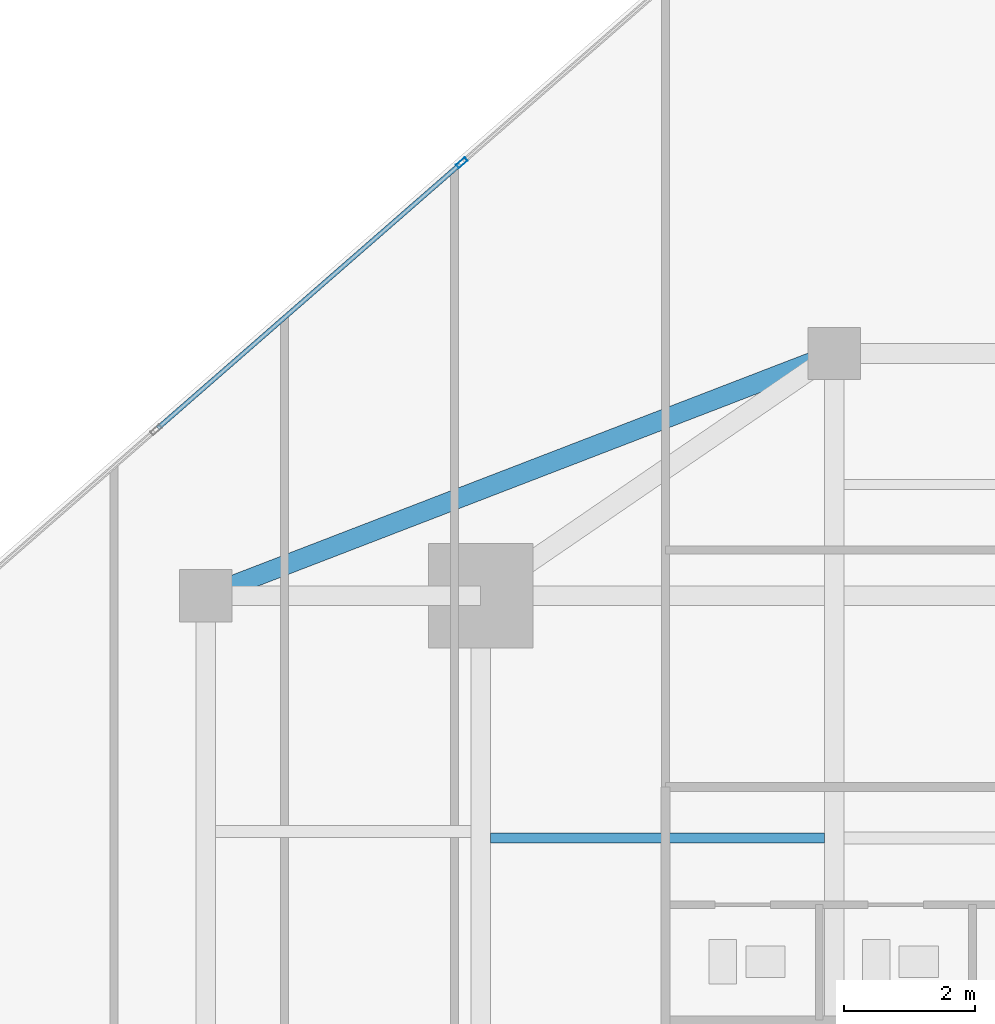
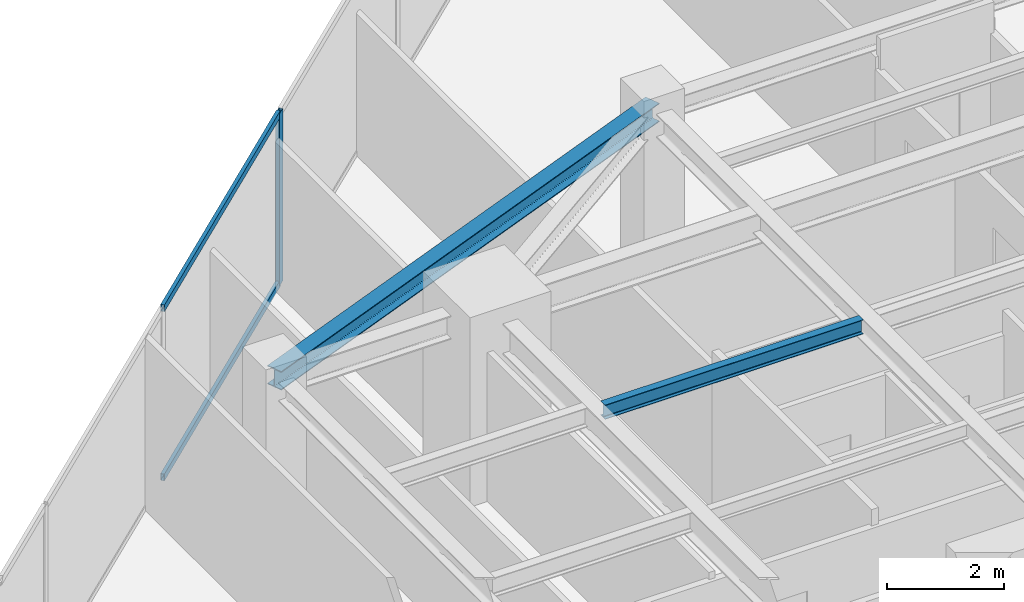
# One storey, part 14 of 24: 3 members, 2 beams, 1 element without a shape of its own.
"""IFC4 building model written with IfcOpenShell, lengths in metres."""

import ifcopenshell
import ifcopenshell.guid

model = None  # the IFC model being written
_history = None  # IfcOwnerHistory: only IFC2X3 demands one
_inside = {}  # id of a spatial element -> (the spatial element, [elements in it])
_under = {}  # id of a project, library or spatial element -> (it, [spatial elements below it])
_declared = {}  # id of a project -> (the project, [libraries it declares])
_typed = {}  # id of a type object -> (the type object, [elements of that type])
_made_of = {}  # id of a material, layer set ... -> (it, [elements and type objects made of it])


def new_model(schema):
    """Start an empty IFC model of exactly this schema.

    Asked for "IFC4X3", IfcOpenShell would pick the latest addendum, in which some entities
    have other attributes; the version numbers below select the first issue.
    IFC2X3 requires an IfcOwnerHistory on every rooted entity: one is made here for all.
    """
    global model, _history
    if schema == "IFC4X3":
        model = ifcopenshell.file(schema_version=(4, 3, 0, 0))
    else:
        model = ifcopenshell.file(schema=schema)
    _inside.clear()
    _under.clear()
    _declared.clear()
    _typed.clear()
    _made_of.clear()
    _history = None
    if model.schema == "IFC2X3":
        org = make("IfcOrganization", Name="unknown")
        user = make(
            "IfcPersonAndOrganization",
            ThePerson=make("IfcPerson", FamilyName="unknown"),
            TheOrganization=org,
        )
        app = make(
            "IfcApplication",
            ApplicationDeveloper=org,
            Version="unknown",
            ApplicationFullName="unknown",
            ApplicationIdentifier="unknown",
        )
        _history = make(
            "IfcOwnerHistory",
            OwningUser=user,
            OwningApplication=app,
            ChangeAction="ADDED",
            CreationDate=0,
        )
    return model


def make(cls, **values):
    """One entity of the class cls with the attributes given. An attribute that is None is left unset."""
    return model.create_entity(
        cls, **{name: value for name, value in values.items() if value is not None}
    )


def rooted(cls, **values):
    """An entity with a GlobalId (a new one), such as an element, a storey or a relation."""
    return make(cls, GlobalId=ifcopenshell.guid.new(), OwnerHistory=_history, **values)


def si_unit(unit_type, name, prefix=None):
    """IfcSIUnit, for example si_unit("LENGTHUNIT", "METRE", prefix="MILLI")."""
    return make("IfcSIUnit", UnitType=unit_type, Prefix=prefix, Name=name)


def assignment(units):
    """IfcUnitAssignment: the units of a project."""
    return None if units is None else make("IfcUnitAssignment", Units=units)


def point(xyz):
    """IfcCartesianPoint."""
    return None if xyz is None else make("IfcCartesianPoint", Coordinates=xyz)


def direction(xyz):
    """IfcDirection."""
    return None if xyz is None else make("IfcDirection", DirectionRatios=xyz)


def frame(location, z_axis=None, x_axis=None):
    """IfcAxis2Placement3D, a coordinate frame: its origin and axes. An axis left out is left unset."""
    return make(
        "IfcAxis2Placement3D",
        Location=point(location),
        Axis=direction(z_axis),
        RefDirection=direction(x_axis),
    )


def frame_2d(location, x_axis=None):
    """IfcAxis2Placement2D, a coordinate frame in the plane: its origin and x axis."""
    return make(
        "IfcAxis2Placement2D", Location=point(location), RefDirection=direction(x_axis)
    )


def origin():
    """The frame at (0, 0, 0) with its axes left unset."""
    return frame((0.0, 0.0, 0.0))


def origin_2d():
    """The frame at (0, 0) in the plane with its x axis left unset."""
    return frame_2d((0.0, 0.0))


def place(relative_to, where):
    """IfcLocalPlacement: puts the frame where relative to a parent placement (None: the world)."""
    return make(
        "IfcLocalPlacement", PlacementRelTo=relative_to, RelativePlacement=where
    )


def context(
    kind, dimensions, precision=None, world=None, true_north=None, identifier=None
):
    """IfcGeometricRepresentationContext, for example the 3D "Model" context."""
    return make(
        "IfcGeometricRepresentationContext",
        ContextIdentifier=identifier,
        ContextType=kind,
        CoordinateSpaceDimension=dimensions,
        Precision=precision,
        WorldCoordinateSystem=world,
        TrueNorth=true_north,
    )


def subcontext(parent, identifier, kind, view, scale=None):
    """IfcGeometricRepresentationSubContext, for example "Body" below "Model"."""
    return make(
        "IfcGeometricRepresentationSubContext",
        ContextIdentifier=identifier,
        ContextType=kind,
        ParentContext=parent,
        TargetScale=scale,
        TargetView=view,
    )


def project(units=None, contexts=None):
    """IfcProject with its units and contexts."""
    return rooted(
        "IfcProject",
        Name="project",
        RepresentationContexts=contexts,
        UnitsInContext=assignment(units),
    )


def spatial(cls, under=None, at=None, **own):
    """A site, building, storey or space (cls), placed at a placement, below another one or the project."""
    s = rooted(cls, ObjectPlacement=at, **own)
    if under is not None:
        _under.setdefault(under.id(), (under, []))[1].append(s)
    return s


def profile(cls, at=None, kind="AREA", **sizes):
    """A parametric profile (cls). Its sizes go by their IFC names, for example OverallWidth=200.0."""
    return make(cls, ProfileType=kind, Position=at, **sizes)


def hollow_rectangle(**sizes):
    """IfcRectangleHollowProfileDef."""
    return profile("IfcRectangleHollowProfileDef", **sizes)


def i_section(**sizes):
    """IfcIShapeProfileDef."""
    return profile("IfcIShapeProfileDef", **sizes)


def extrude(swept, where, along, depth):
    """IfcExtrudedAreaSolid: the profile swept, set in the frame where, extruded along a direction by depth."""
    return make(
        "IfcExtrudedAreaSolid",
        SweptArea=swept,
        Position=where,
        ExtrudedDirection=direction(along),
        Depth=depth,
    )


def shape(context_of_items, identifier, shape_type, items):
    """IfcShapeRepresentation: the items that make up one representation, for example the "Body"."""
    return make(
        "IfcShapeRepresentation",
        ContextOfItems=context_of_items,
        RepresentationIdentifier=identifier,
        RepresentationType=shape_type,
        Items=items,
    )


def source(mapping_origin, context_of_items, identifier, shape_type, items):
    """IfcRepresentationMap: a shape defined once, which mapped items show again and again."""
    return make(
        "IfcRepresentationMap",
        MappingOrigin=mapping_origin,
        MappedRepresentation=shape(context_of_items, identifier, shape_type, items),
    )


def transform(
    local_origin,
    x_axis=None,
    y_axis=None,
    z_axis=None,
    scale=None,
    scale2=None,
    scale3=None,
    uniform=True,
):
    """IfcCartesianTransformationOperator3D, or its non-uniform kind. x_axis, y_axis, z_axis: its Axis1, 2, 3."""
    if uniform:
        return make(
            "IfcCartesianTransformationOperator3D",
            Axis1=direction(x_axis),
            Axis2=direction(y_axis),
            LocalOrigin=point(local_origin),
            Scale=scale,
            Axis3=direction(z_axis),
        )
    return make(
        "IfcCartesianTransformationOperator3DnonUniform",
        Axis1=direction(x_axis),
        Axis2=direction(y_axis),
        LocalOrigin=point(local_origin),
        Scale=scale,
        Axis3=direction(z_axis),
        Scale2=scale2,
        Scale3=scale3,
    )


def mapped(mapping_source, mapping_target):
    """IfcMappedItem: shows the shape of a source again, moved by a transform."""
    return make(
        "IfcMappedItem", MappingSource=mapping_source, MappingTarget=mapping_target
    )


def material(Name=None, Category=None):
    """IfcMaterial."""
    return make("IfcMaterial", Name=Name, Category=Category)


def material_profile(
    of_material, cross_section, Name=None, Category=None, Priority=None
):
    """IfcMaterialProfile: a cross section and its material."""
    return make(
        "IfcMaterialProfile",
        Name=Name,
        Material=of_material,
        Profile=cross_section,
        Priority=Priority,
        Category=Category,
    )


def profile_set(profiles, Name=None, composite=None):
    """IfcMaterialProfileSet."""
    return make(
        "IfcMaterialProfileSet",
        Name=Name,
        MaterialProfiles=profiles,
        CompositeProfile=composite,
    )


def made_of(thing, what):
    """Note that an element or type object is made of a material, layer set ...; save() writes the relation."""
    if what is not None:
        _made_of.setdefault(what.id(), (what, []))[1].append(thing)
    return thing


def type_object(cls, material=None, **own):
    """A type object (cls), such as IfcWallType, which elements share."""
    return made_of(rooted(cls, **own), material)


def type_shapes(of_type, sources):
    """Give a type object the sources (RepresentationMaps) that its elements show as mapped items."""
    of_type.RepresentationMaps = sources


def element(
    cls,
    number,
    at=None,
    inside=None,
    cuts=None,
    type_object=None,
    material=None,
    context=None,
    identifier="Body",
    shape_type=None,
    held_by="IfcProductDefinitionShape",
    body=None,
    shapes=None,
    **own,
):
    """One element of the class cls, such as IfcWall. Its Tag is "e" and its number.

    at: its placement. inside: the storey or other place that contains it. cuts: it is an
    opening in that element (IfcRelVoidsElement). A single representation is given by context,
    identifier, shape_type and body (its items); several are given by shapes. held_by: the class
    of the entity that holds the representations. save() writes the other relations.
    """
    e = rooted(cls, Tag="e%d" % number, ObjectPlacement=at, **own)
    if body is not None:
        shapes = [shape(context, identifier, shape_type, body)]
    if shapes is not None:
        e.Representation = make(held_by, Representations=shapes)
    if inside is not None:
        _inside.setdefault(inside.id(), (inside, []))[1].append(e)
    if cuts is not None:
        rooted(
            "IfcRelVoidsElement", RelatingBuildingElement=cuts, RelatedOpeningElement=e
        )
    if type_object is not None:
        _typed.setdefault(type_object.id(), (type_object, []))[1].append(e)
    return made_of(e, material)


def aggregate(whole, parts):
    """IfcRelAggregates: a whole, such as a stair, and the parts it consists of."""
    return rooted("IfcRelAggregates", RelatingObject=whole, RelatedObjects=parts)


def save(model, path):
    """Write the relations noted so far, then the file.

    IfcRelAggregates (storeys below a building ...), IfcRelContainedInSpatialStructure (elements
    in a storey), IfcRelDefinesByType, IfcRelAssociatesMaterial and IfcRelDeclares: one each for
    every whole, place, type object, material and project.
    """
    for whole, parts in _under.values():
        aggregate(whole, parts)
    for where, things in _inside.values():
        rooted(
            "IfcRelContainedInSpatialStructure",
            RelatedElements=things,
            RelatingStructure=where,
        )
    for kind, things in _typed.values():
        rooted("IfcRelDefinesByType", RelatedObjects=things, RelatingType=kind)
    for what, things in _made_of.values():
        rooted("IfcRelAssociatesMaterial", RelatedObjects=things, RelatingMaterial=what)
    for by, libraries in _declared.values():
        rooted("IfcRelDeclares", RelatingContext=by, RelatedDefinitions=libraries)
    model.write(path)


model = new_model("IFC4")

# Units and contexts
model_context = context("Model", 3, precision=1e-05, world=origin(), true_north=direction((0.0, 1.0)))
body_context = subcontext(model_context, "Body", "Model", "MODEL_VIEW")
ifc_project = project(units=[si_unit("LENGTHUNIT", "METRE"), si_unit("AREAUNIT", "SQUARE_METRE"), si_unit("VOLUMEUNIT", "CUBIC_METRE"), si_unit("PLANEANGLEUNIT", "RADIAN"), si_unit("MASSUNIT", "GRAM", prefix="KILO")], contexts=[model_context])

# Site, building, storey
site_placement = place(None, origin())
site = spatial("IfcSite", under=ifc_project, at=site_placement, CompositionType="ELEMENT")
building_placement = place(site_placement, origin())
building = spatial("IfcBuilding", under=site, at=building_placement, Name="Krantzveldt Concourse Tower", CompositionType="ELEMENT")
storey_placement = place(building_placement, frame((0.0, 0.0, 258.64990234375)))
storey = spatial("IfcBuildingStorey", under=building, at=storey_placement, Name="L63", CompositionType="ELEMENT", Elevation=258.64990234375)

# Beams
ifc_material_1 = material(Name="Steel S355JR", Category="steel")
ifc_material_profile_1 = material_profile(ifc_material_1, i_section(OverallWidth=0.300048828125, OverallDepth=0.389892578125, WebThickness=0.010986328125, FlangeThickness=0.01904296875, FilletRadius=0.027099609375, at=origin_2d()), Name="Steel S355JR", Category="steel")
ifc_profile_set_1 = profile_set([ifc_material_profile_1], Name="Steel S355JR - HEA 400")
beam_type_1 = type_object("IfcBeamType", Name="BM-SP-HEA400", PredefinedType="SPANDREL", material=ifc_profile_set_1)
shared_shape_1 = source(origin(), body_context, "Body", "SweptSolid", [
    extrude(i_section(OverallWidth=0.300048828125, OverallDepth=0.389892578125, WebThickness=0.010986328125, FlangeThickness=0.01904296875, FilletRadius=0.027099609375, at=origin_2d()), origin(), (0.0, 0.0, 1.0), 10.288330078125),
])
type_shapes(beam_type_1, [shared_shape_1])
beam_1_placement = place(storey_placement, frame((21.0, 37.5, 3.405029296875), z_axis=(0.933097690408, 0.359622997257, 0.0), x_axis=(-0.359622997257, 0.933097690408, 0.0)))
element("IfcBeam", 1, at=beam_1_placement, inside=storey, type_object=beam_type_1, Name="L63 Tower Girder SP-R03", PredefinedType="SPANDREL", context=body_context, shape_type="MappedRepresentation", body=[
    mapped(shared_shape_1, transform((0.0, 0.0, 0.0), x_axis=(1.0, 0.0, 0.0), y_axis=(0.0, 1.0, 0.0), z_axis=(0.0, 0.0, 1.0), scale=1.0)),
])
ifc_material_profile_2 = material_profile(ifc_material_1, i_section(OverallWidth=0.14990234375, OverallDepth=0.300048828125, WebThickness=0.007080078125, FlangeThickness=0.0107421875, FilletRadius=0.014892578125, at=origin_2d()), Name="Steel S355JR", Category="steel")
ifc_profile_set_2 = profile_set([ifc_material_profile_2], Name="Steel S355JR - IPE 300")
beam_type_2 = type_object("IfcBeamType", Name="BM-J-IPE300", PredefinedType="JOIST", material=ifc_profile_set_2)
shared_shape_2 = source(origin(), body_context, "Body", "SweptSolid", [
    extrude(i_section(OverallWidth=0.14990234375, OverallDepth=0.300048828125, WebThickness=0.007080078125, FlangeThickness=0.0107421875, FilletRadius=0.014892578125, at=origin_2d()), origin(), (0.0, 0.0, 1.0), 5.099853515625),
])
type_shapes(beam_type_2, [shared_shape_2])
beam_2_placement = place(storey_placement, frame((25.35009765625, 33.800048828125, 3.4501953125), z_axis=(1.0, 0.0, 0.0), x_axis=(0.0, 1.0, 0.0)))
element("IfcBeam", 2, at=beam_2_placement, inside=storey, type_object=beam_type_2, Name="L63 Secondary Floor Joist JN-W2", PredefinedType="JOIST", context=body_context, shape_type="MappedRepresentation", body=[
    mapped(shared_shape_2, transform((0.0, 0.0, 0.0), x_axis=(1.0, 0.0, 0.0), y_axis=(0.0, 1.0, 0.0), z_axis=(0.0, 0.0, 1.0), scale=1.0)),
])

# Curtain wall, members
ifc_material_2 = material(Name="Anodised aluminium 6063-T6", Category="aluminium")
curtain_wall_type = type_object("IfcCurtainWallType", Name="CW3", PredefinedType="USERDEFINED", material=ifc_material_2)
curtain_wall_placement = place(storey_placement, origin())
curtain_wall = element("IfcCurtainWall", 3, at=curtain_wall_placement, inside=storey, type_object=curtain_wall_type, Name="CW-L63-F01", ObjectType="UNITISED CURTAIN WALL", PredefinedType="USERDEFINED")
ifc_material_profile_3 = material_profile(ifc_material_2, hollow_rectangle(XDim=0.070068359375, YDim=0.179931640625, WallThickness=0.0048828125, at=origin_2d()), Name="Anodised aluminium 6063-T6", Category="aluminium")
ifc_profile_set_3 = profile_set([ifc_material_profile_3], Name="Anodised aluminium 6063-T6 - ALU-MULL 180x70x5")
member_type_1 = type_object("IfcMemberType", Name="CW-MUL-180", PredefinedType="MULLION", material=ifc_profile_set_3)
shared_shape_3 = source(origin(), body_context, "Body", "SweptSolid", [
    extrude(hollow_rectangle(XDim=0.070068359375, YDim=0.179931640625, WallThickness=0.0048828125, at=origin_2d()), origin(), (0.0, 0.0, 1.0), 3.60009765625),
])
type_shapes(member_type_1, [shared_shape_3])
member_1_placement = place(storey_placement, frame((24.911376953125, 44.11328125, 0.0), z_axis=(0.0, 0.0, 1.0), x_axis=(0.657703938567, -0.753276529034, 0.0)))
member_1 = element("IfcMember", 4, at=member_1_placement, type_object=member_type_1, Name="CW-Z34 mullion 3", PredefinedType="MULLION", context=body_context, shape_type="MappedRepresentation", body=[
    mapped(shared_shape_3, transform((0.0, 0.0, 0.0), x_axis=(1.0, 0.0, 0.0), y_axis=(0.0, 1.0, 0.0), z_axis=(0.0, 0.0, 1.0), scale=1.0)),
])
ifc_material_profile_4 = material_profile(ifc_material_2, hollow_rectangle(XDim=0.070068359375, YDim=0.139892578125, WallThickness=0.0048828125, at=origin_2d()), Name="Anodised aluminium 6063-T6", Category="aluminium")
ifc_profile_set_4 = profile_set([ifc_material_profile_4], Name="Anodised aluminium 6063-T6 - ALU-TRAN 140x70x5")
member_type_2 = type_object("IfcMemberType", Name="CW-TRN-150", PredefinedType="USERDEFINED", material=ifc_profile_set_4)
shared_shape_4 = source(origin(), body_context, "Body", "SweptSolid", [
    extrude(hollow_rectangle(XDim=0.070068359375, YDim=0.139892578125, WallThickness=0.0048828125, at=origin_2d()), origin(), (0.0, 0.0, 1.0), 6.1298828125),
])
type_shapes(member_type_2, [shared_shape_4])
member_2_placement = place(storey_placement, frame((24.885009765625, 44.09033203125, 0.03515625), z_axis=(-0.753264636132, -0.657717559408, 0.0), x_axis=(0.657717559408, -0.753264636132, 0.0)))
member_2 = element("IfcMember", 5, at=member_2_placement, type_object=member_type_2, Name="CW-Z34 transom 3.1", ObjectType="TRANSOM", PredefinedType="USERDEFINED", context=body_context, shape_type="MappedRepresentation", body=[
    mapped(shared_shape_4, transform((0.0, 0.0, 0.0), x_axis=(1.0, 0.0, 0.0), y_axis=(0.0, 1.0, 0.0), z_axis=(0.0, 0.0, 1.0), scale=1.0)),
])
member_3_placement = place(storey_placement, frame((24.885009765625, 44.09033203125, 3.565185546875), z_axis=(-0.753264636132, -0.657717559408, 0.0), x_axis=(0.657717559408, -0.753264636132, 0.0)))
member_3 = element("IfcMember", 6, at=member_3_placement, type_object=member_type_2, Name="CW-Z34 transom 3.2", ObjectType="TRANSOM", PredefinedType="USERDEFINED", context=body_context, shape_type="MappedRepresentation", body=[
    mapped(shared_shape_4, transform((0.0, 0.0, 0.0), x_axis=(1.0, 0.0, 0.0), y_axis=(0.0, 1.0, 0.0), z_axis=(0.0, 0.0, 1.0), scale=1.0)),
])
aggregate(curtain_wall, [member_1, member_2, member_3])

save(model, "model.ifc")
